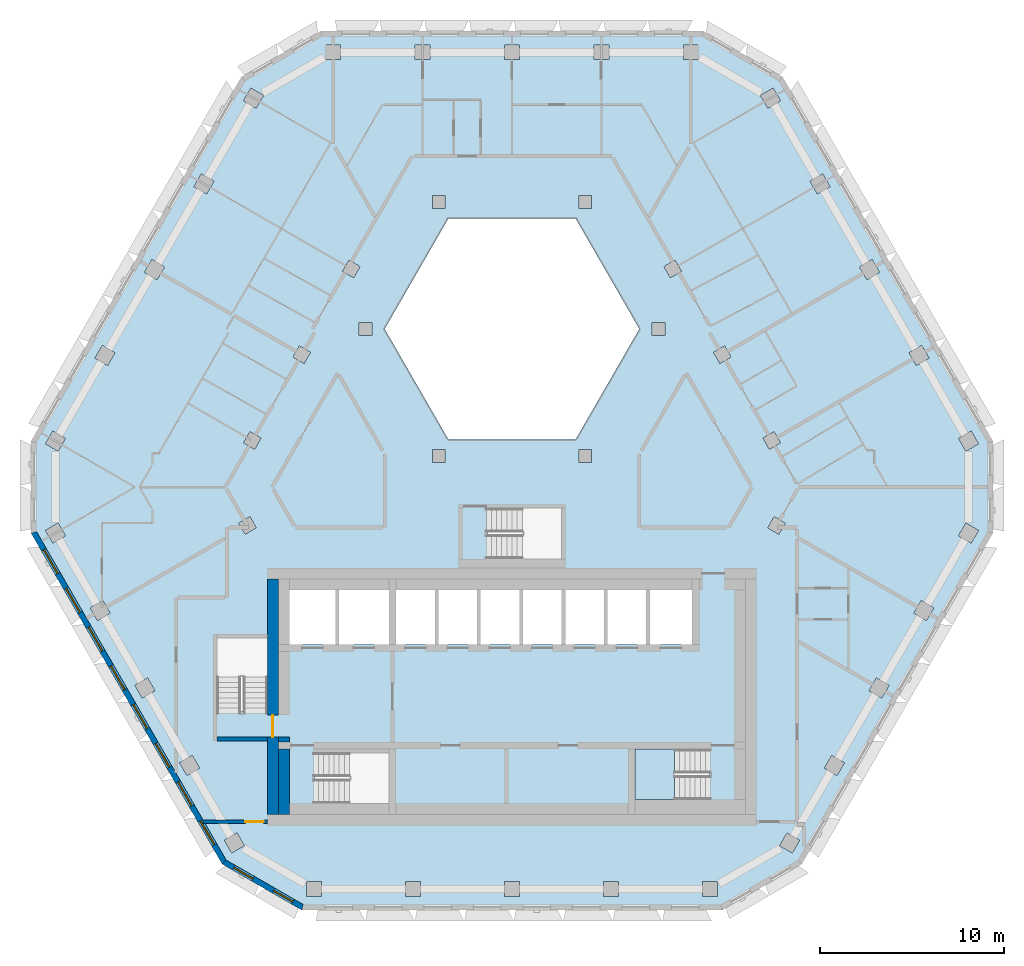
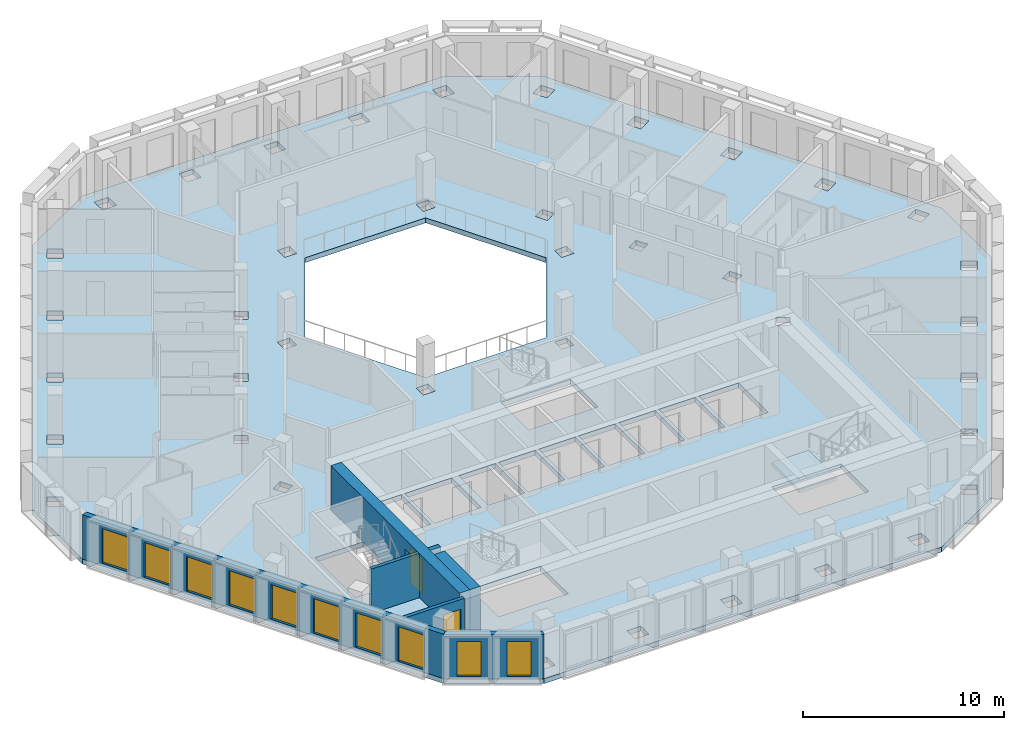
# One storey, part 2 of 18: 10 windows, 7 walls, 2 doors, 2 slabs, 12 openings, 1 element without a shape of its own.
"""IFC4 building model written with IfcOpenShell, lengths in metres."""

from ifc_helpers import new_model, si_unit, direction, frame, frame_2d, origin, place, context, subcontext, project, spatial, polyline, rectangle, outline, extrude, material, layer, layer_set, type_object, element, fill, aggregate, save


model = new_model("IFC4")

# Units and contexts
model_context = context("Model", 3, precision=1e-05, world=origin(), true_north=direction((0.0, 1.0)))
body_context = subcontext(model_context, "Body", "Model", "MODEL_VIEW")
ifc_project = project(units=[si_unit("LENGTHUNIT", "METRE"), si_unit("AREAUNIT", "SQUARE_METRE"), si_unit("VOLUMEUNIT", "CUBIC_METRE"), si_unit("PLANEANGLEUNIT", "RADIAN"), si_unit("MASSUNIT", "GRAM", prefix="KILO")], contexts=[model_context])

# Site, building, storey
site_placement = place(None, origin())
site = spatial("IfcSite", under=ifc_project, at=site_placement, CompositionType="ELEMENT")
building_placement = place(site_placement, origin())
building = spatial("IfcBuilding", under=site, at=building_placement, Name="Beryl Residences", CompositionType="ELEMENT")
storey_placement = place(building_placement, frame((0.0, 0.0, 184.199951171875)))
storey = spatial("IfcBuildingStorey", under=building, at=storey_placement, Name="L56", CompositionType="ELEMENT", Elevation=184.199951171875)

# Slab
ifc_material_1 = material(Name="Concrete C40/50", Category="concrete")
ifc_layer_1 = layer(ifc_material_1, 0.300048828125)
ifc_layer_set_1 = layer_set([ifc_layer_1], Name="SL7 PT floor slab 300 mm C40/50")
slab_type_1 = type_object("IfcSlabType", Name="SL7 PT floor slab 300 mm C40/50", PredefinedType="FLOOR", material=ifc_layer_set_1)
slab_1_placement = place(storey_placement, frame((0.0, 0.0, -0.300048828125)))
element("IfcSlab", 1, at=slab_1_placement, inside=storey, type_object=slab_type_1, Name="L56 slab 1", PredefinedType="FLOOR", context=body_context, shape_type="SweptSolid", body=[
    extrude(outline(polyline([(26.154052734375, -3.10009765625), (15.760986328125, -21.10009765625), (11.430908203125, -23.60009765625), (-11.430908203125, -23.60009765625), (-15.760986328125, -21.10009765625), (-26.154052734375, -3.10009765625), (-26.154052734375, 1.89990234375), (-14.721923828125, 21.699951171875), (-10.39208984375, 24.199951171875), (10.39208984375, 24.199951171875), (14.721923828125, 21.699951171875), (26.154052734375, 1.89990234375), (26.154052734375, -3.10009765625)]), holes=[polyline([(24.971923828125, 2.446044921875), (24.280029296875, 2.0458984375), (24.679931640625, 1.35400390625), (25.3720703125, 1.75390625), (24.971923828125, 2.446044921875)]), polyline([(24.678955078125, -2.554931640625), (24.279052734375, -3.2470703125), (24.970947265625, -3.64697265625), (25.37109375, -2.955078125), (24.678955078125, -2.554931640625)]), polyline([(22.2470703125, -6.76806640625), (21.846923828125, -7.4599609375), (22.5390625, -7.860107421875), (22.93896484375, -7.16796875), (22.2470703125, -6.76806640625)]), polyline([(22.280029296875, 7.10791015625), (21.587890625, 6.7080078125), (21.988037109375, 6.01611328125), (22.679931640625, 6.416015625), (22.280029296875, 7.10791015625)]), polyline([(19.4150390625, -11.672119140625), (20.10693359375, -12.072021484375), (20.507080078125, -11.3798828125), (19.81494140625, -10.97998046875), (19.4150390625, -11.672119140625)]), polyline([(18.89599609375, 11.37109375), (19.2958984375, 10.678955078125), (19.988037109375, 11.0791015625), (19.587890625, 11.77099609375), (18.89599609375, 11.37109375)]), polyline([(18.074951171875, -15.592041015625), (17.383056640625, -15.19189453125), (16.98291015625, -15.884033203125), (17.675048828125, -16.283935546875), (18.074951171875, -15.592041015625)]), polyline([(16.89599609375, 16.43408203125), (16.2041015625, 16.033935546875), (16.60400390625, 15.342041015625), (17.2958984375, 15.741943359375), (16.89599609375, 16.43408203125)]), polyline([(15.64306640625, -19.804931640625), (14.950927734375, -19.405029296875), (14.551025390625, -20.096923828125), (15.242919921875, -20.4970703125), (15.64306640625, -19.804931640625)]), polyline([(14.860107421875, -2.56103515625), (14.25390625, -2.2109375), (13.904052734375, -2.81689453125), (14.510009765625, -3.1669921875), (14.860107421875, -2.56103515625)]), polyline([(14.2041015625, 21.095947265625), (13.511962890625, 20.696044921875), (13.912109375, 20.00390625), (14.60400390625, 20.404052734375), (14.2041015625, 21.095947265625)]), polyline([(13.64501953125, 2.06494140625), (13.9951171875, 1.458984375), (14.60107421875, 1.80908203125), (14.2509765625, 2.4150390625), (13.64501953125, 2.06494140625)]), polyline([(11.55908203125, 7.077880859375), (10.952880859375, 6.72802734375), (11.302978515625, 6.1220703125), (11.908935546875, 6.471923828125), (11.55908203125, 7.077880859375)]), polyline([(11.1689453125, -22.050048828125), (10.368896484375, -22.050048828125), (10.368896484375, -22.85009765625), (11.1689453125, -22.85009765625), (11.1689453125, -22.050048828125)]), polyline([(6.699951171875, -14.85009765625), (6.699951171875, -17.60009765625), (10.699951171875, -17.60009765625), (10.699951171875, -14.85009765625), (6.699951171875, -14.85009765625)]), polyline([(9.327880859375, 23.449951171875), (9.327880859375, 22.64990234375), (10.1279296875, 22.64990234375), (10.1279296875, 23.449951171875), (9.327880859375, 23.449951171875)]), polyline([(7.5, -9.14990234375), (9.800048828125, -9.14990234375), (9.800048828125, -6.199951171875), (7.5, -6.199951171875), (7.5, -9.14990234375)]), polyline([(8.260986328125, 11.39111328125), (8.611083984375, 10.784912109375), (9.217041015625, 11.135009765625), (8.866943359375, 11.740966796875), (8.260986328125, 11.39111328125)]), polyline([(8.31689453125, 7.64990234375), (8.31689453125, 8.35009765625), (7.616943359375, 8.35009765625), (7.616943359375, 7.64990234375), (8.31689453125, 7.64990234375)]), polyline([(5.199951171875, -9.14990234375), (7.300048828125, -9.14990234375), (7.300048828125, -6.199951171875), (5.199951171875, -6.199951171875), (5.199951171875, -9.14990234375)]), polyline([(3.464111328125, 14.0), (-3.464111328125, 14.0), (-6.92822265625, 8.0), (-3.464111328125, 2.0), (3.464111328125, 2.0), (6.92822265625, 8.0), (3.464111328125, 14.0)]), polyline([(5.784912109375, -22.85009765625), (5.784912109375, -22.050048828125), (4.985107421875, -22.050048828125), (4.985107421875, -22.85009765625), (5.784912109375, -22.85009765625)]), polyline([(4.464111328125, 23.449951171875), (4.464111328125, 22.64990234375), (5.263916015625, 22.64990234375), (5.263916015625, 23.449951171875), (4.464111328125, 23.449951171875)]), polyline([(5.0, -9.14990234375), (5.0, -6.199951171875), (2.89990234375, -6.199951171875), (2.89990234375, -9.14990234375), (5.0, -9.14990234375)]), polyline([(4.333984375, 14.550048828125), (4.333984375, 15.25), (3.634033203125, 15.25), (3.634033203125, 14.550048828125), (4.333984375, 14.550048828125)]), polyline([(4.333984375, 1.449951171875), (3.634033203125, 1.449951171875), (3.634033203125, 0.75), (4.333984375, 0.75), (4.333984375, 1.449951171875)]), polyline([(2.699951171875, -4.5), (2.699951171875, -1.75), (-1.300048828125, -1.75), (-1.300048828125, -4.5), (2.699951171875, -4.5)]), polyline([(0.60009765625, -9.14990234375), (2.699951171875, -9.14990234375), (2.699951171875, -6.199951171875), (0.60009765625, -6.199951171875), (0.60009765625, -9.14990234375)]), polyline([(-0.39892578125, -22.050048828125), (-0.39892578125, -22.85009765625), (0.40087890625, -22.85009765625), (0.40087890625, -22.050048828125), (-0.39892578125, -22.050048828125)]), polyline([(0.39990234375, 22.64990234375), (0.39990234375, 23.449951171875), (-0.39990234375, 23.449951171875), (-0.39990234375, 22.64990234375), (0.39990234375, 22.64990234375)]), polyline([(0.39990234375, -6.199951171875), (-1.699951171875, -6.199951171875), (-1.699951171875, -9.14990234375), (0.39990234375, -9.14990234375), (0.39990234375, -6.199951171875)]), polyline([(-4.0, -9.14990234375), (-1.89990234375, -9.14990234375), (-1.89990234375, -6.199951171875), (-4.0, -6.199951171875), (-4.0, -9.14990234375)]), polyline([(-3.634033203125, 15.25), (-4.333984375, 15.25), (-4.333984375, 14.550048828125), (-3.634033203125, 14.550048828125), (-3.634033203125, 15.25)]), polyline([(-3.634033203125, 0.75), (-3.634033203125, 1.449951171875), (-4.333984375, 1.449951171875), (-4.333984375, 0.75), (-3.634033203125, 0.75)]), polyline([(-6.300048828125, -9.14990234375), (-4.199951171875, -9.14990234375), (-4.199951171875, -6.199951171875), (-6.300048828125, -6.199951171875), (-6.300048828125, -9.14990234375)]), polyline([(-5.263916015625, 23.449951171875), (-5.263916015625, 22.64990234375), (-4.464111328125, 22.64990234375), (-4.464111328125, 23.449951171875), (-5.263916015625, 23.449951171875)]), polyline([(-4.98291015625, -22.85009765625), (-4.98291015625, -22.050048828125), (-5.782958984375, -22.050048828125), (-5.782958984375, -22.85009765625), (-4.98291015625, -22.85009765625)]), polyline([(-6.699951171875, -6.199951171875), (-9.39990234375, -6.199951171875), (-9.39990234375, -9.14990234375), (-6.699951171875, -9.14990234375), (-6.699951171875, -6.199951171875)]), polyline([(-10.699951171875, -15.050048828125), (-10.699951171875, -17.800048828125), (-6.699951171875, -17.800048828125), (-6.699951171875, -15.050048828125), (-10.699951171875, -15.050048828125)]), polyline([(-7.616943359375, 7.64990234375), (-7.616943359375, 8.35009765625), (-8.31689453125, 8.35009765625), (-8.31689453125, 7.64990234375), (-7.616943359375, 7.64990234375)]), polyline([(-8.611083984375, 10.784912109375), (-8.260986328125, 11.39111328125), (-8.866943359375, 11.740966796875), (-9.217041015625, 11.135009765625), (-8.611083984375, 10.784912109375)]), polyline([(-10.1279296875, 23.449951171875), (-10.1279296875, 22.64990234375), (-9.327880859375, 22.64990234375), (-9.327880859375, 23.449951171875), (-10.1279296875, 23.449951171875)]), polyline([(-12.10009765625, -9.14990234375), (-9.60009765625, -9.14990234375), (-9.60009765625, -6.199951171875), (-12.10009765625, -6.199951171875), (-12.10009765625, -9.14990234375)]), polyline([(-11.1669921875, -22.050048828125), (-11.1669921875, -22.85009765625), (-10.366943359375, -22.85009765625), (-10.366943359375, -22.050048828125), (-11.1669921875, -22.050048828125)]), polyline([(-11.908935546875, 6.471923828125), (-11.302978515625, 6.1220703125), (-10.952880859375, 6.72802734375), (-11.55908203125, 7.077880859375), (-11.908935546875, 6.471923828125)]), polyline([(-13.300048828125, -8.800048828125), (-16.050048828125, -8.800048828125), (-16.050048828125, -12.800048828125), (-13.300048828125, -12.800048828125), (-13.300048828125, -8.800048828125)]), polyline([(-13.912109375, 20.00390625), (-13.511962890625, 20.696044921875), (-14.2041015625, 21.095947265625), (-14.60400390625, 20.404052734375), (-13.912109375, 20.00390625)]), polyline([(-13.9951171875, 1.458984375), (-13.64501953125, 2.06494140625), (-14.2509765625, 2.4150390625), (-14.60107421875, 1.80908203125), (-13.9951171875, 1.458984375)]), polyline([(-14.510986328125, -3.1650390625), (-13.905029296875, -2.81494140625), (-14.2548828125, -2.208984375), (-14.861083984375, -2.55908203125), (-14.510986328125, -3.1650390625)]), polyline([(-14.552001953125, -20.094970703125), (-14.951904296875, -19.403076171875), (-15.64404296875, -19.802978515625), (-15.243896484375, -20.4951171875), (-14.552001953125, -20.094970703125)]), polyline([(-16.60400390625, 15.342041015625), (-16.2041015625, 16.033935546875), (-16.89599609375, 16.43408203125), (-17.2958984375, 15.741943359375), (-16.60400390625, 15.342041015625)]), polyline([(-16.98388671875, -15.882080078125), (-17.384033203125, -15.18994140625), (-18.075927734375, -15.590087890625), (-17.676025390625, -16.281982421875), (-16.98388671875, -15.882080078125)]), polyline([(-18.89599609375, 11.37109375), (-19.587890625, 11.77099609375), (-19.988037109375, 11.0791015625), (-19.2958984375, 10.678955078125), (-18.89599609375, 11.37109375)]), polyline([(-20.10791015625, -12.070068359375), (-19.416015625, -11.669921875), (-19.81591796875, -10.97802734375), (-20.508056640625, -11.3779296875), (-20.10791015625, -12.070068359375)]), polyline([(-22.679931640625, 6.416015625), (-21.988037109375, 6.01611328125), (-21.587890625, 6.7080078125), (-22.280029296875, 7.10791015625), (-22.679931640625, 6.416015625)]), polyline([(-21.847900390625, -7.4580078125), (-22.248046875, -6.76611328125), (-22.93994140625, -7.166015625), (-22.5400390625, -7.85791015625), (-21.847900390625, -7.4580078125)]), polyline([(-25.3720703125, 1.75390625), (-24.679931640625, 1.35400390625), (-24.280029296875, 2.0458984375), (-24.971923828125, 2.446044921875), (-25.3720703125, 1.75390625)]), polyline([(-24.280029296875, -3.2451171875), (-24.679931640625, -2.552978515625), (-25.3720703125, -2.952880859375), (-24.971923828125, -3.64501953125), (-24.280029296875, -3.2451171875)])]), origin(), (0.0, 0.0, 1.0), 0.300048828125),
])

# Stair, slab
ifc_material_2 = material(Name="Concrete C40/50", Category="concrete")
stair_type = type_object("IfcStairType", Name="ST1 protected exit stair, half-turn, 1300 mm flights", PredefinedType="HALF_TURN_STAIR", material=ifc_material_2)
stair_placement = place(storey_placement, origin())
stair = element("IfcStair", 2, at=stair_placement, inside=storey, type_object=stair_type, Name="L56 PROTECTED EXIT STAIR ST-3", PredefinedType="HALF_TURN_STAIR")
ifc_material_3 = material(Name="Concrete C40/50", Category="concrete")
ifc_layer_2 = layer(ifc_material_3, 0.199951171875)
ifc_layer_set_2 = layer_set([ifc_layer_2], Name="SLD1 stair landing 200 mm")
slab_type_2 = type_object("IfcSlabType", Name="SLD1 stair landing 200 mm", PredefinedType="LANDING", material=ifc_layer_set_2)
slab_2_placement = place(storey_placement, frame((0.0, 0.0, 1.300048828125)))
slab_2 = element("IfcSlab", 3, at=slab_2_placement, type_object=slab_type_2, Name="ST-3 landing 1", PredefinedType="LANDING", context=body_context, shape_type="SweptSolid", body=[
    extrude(outline(polyline([(8.840087890625, -14.85009765625), (6.699951171875, -14.85009765625), (6.699951171875, -17.60009765625), (8.840087890625, -17.60009765625), (8.840087890625, -14.85009765625)])), origin(), (0.0, 0.0, 1.0), 0.199951171875),
])
aggregate(stair, [slab_2])

# Wall, openings, windows
ifc_material_4 = material(Name="Composite metal panel with mineral wool insulation")
ifc_layer_3 = layer(ifc_material_4, 0.300048828125)
ifc_layer_set_3 = layer_set([ifc_layer_3], Name="ES1 pale metal composite panel wall 300 mm")
wall_type_1 = type_object("IfcWallType", Name="ES1 pale metal composite panel wall 300 mm", PredefinedType="SOLIDWALL", material=ifc_layer_set_3)
wall_1_placement = place(storey_placement, frame((-26.02392578125, -3.02490234375, 0.0), z_axis=(0.0, 0.0, 1.0), x_axis=(0.500018670445, -0.86601462413, 0.0)))
wall_1 = element("IfcWall", 4, at=wall_1_placement, inside=storey, type_object=wall_type_1, Name="ES1 external wall L56 SW", PredefinedType="SOLIDWALL", context=body_context, shape_type="SweptSolid", body=[
    extrude(outline(polyline([(0.0, -0.14990234375), (20.784912109375, -0.14990234375), (20.70458984375, 0.14990234375), (0.080322265625, 0.14990234375), (0.0, -0.14990234375)])), origin(), (0.0, 0.0, 1.0), 2.699951171875),
])
opening_1_placement = place(wall_1_placement, frame((1.1298828125, 0.0, 0.14990234375)))
opening_1 = element("IfcOpeningElement", 5, at=opening_1_placement, cuts=wall_1, Name="Opening W1", PredefinedType="OPENING", context=body_context, shape_type="SweptSolid", body=[
    extrude(rectangle(XDim=1.5, YDim=2.10009765625, at=frame_2d((0.75, 1.050048828125))), frame((0.0, 0.159912109375, 0.0), z_axis=(0.0, -1.0, 0.0), x_axis=(1.0, 0.0, 0.0)), (0.0, 0.0, 1.0), 0.320068359375),
])
opening_2_placement = place(wall_1_placement, frame((3.56201171875, 0.0, 0.14990234375)))
opening_2 = element("IfcOpeningElement", 6, at=opening_2_placement, cuts=wall_1, Name="Opening W1", PredefinedType="OPENING", context=body_context, shape_type="SweptSolid", body=[
    extrude(rectangle(XDim=1.5, YDim=2.10009765625, at=frame_2d((0.75, 1.050048828125))), frame((0.0, 0.159912109375, 0.0), z_axis=(0.0, -1.0, 0.0), x_axis=(1.0, 0.0, 0.0)), (0.0, 0.0, 1.0), 0.320068359375),
])
opening_3_placement = place(wall_1_placement, frame((5.993896484375, 0.0, 0.14990234375)))
opening_3 = element("IfcOpeningElement", 7, at=opening_3_placement, cuts=wall_1, Name="Opening W1", PredefinedType="OPENING", context=body_context, shape_type="SweptSolid", body=[
    extrude(rectangle(XDim=1.5, YDim=2.10009765625, at=frame_2d((0.75, 1.050048828125))), frame((0.0, 0.159912109375, 0.0), z_axis=(0.0, -1.0, 0.0), x_axis=(1.0, 0.0, 0.0)), (0.0, 0.0, 1.0), 0.320068359375),
])
opening_4_placement = place(wall_1_placement, frame((8.425048828125, 0.0, 0.14990234375)))
opening_4 = element("IfcOpeningElement", 8, at=opening_4_placement, cuts=wall_1, Name="Opening W1", PredefinedType="OPENING", context=body_context, shape_type="SweptSolid", body=[
    extrude(rectangle(XDim=1.5, YDim=2.10009765625, at=frame_2d((0.75, 1.050048828125))), frame((0.0, 0.159912109375, 0.0), z_axis=(0.0, -1.0, 0.0), x_axis=(1.0, 0.0, 0.0)), (0.0, 0.0, 1.0), 0.320068359375),
])
opening_5_placement = place(wall_1_placement, frame((10.85693359375, 0.0, 0.14990234375)))
opening_5 = element("IfcOpeningElement", 9, at=opening_5_placement, cuts=wall_1, Name="Opening W1", PredefinedType="OPENING", context=body_context, shape_type="SweptSolid", body=[
    extrude(rectangle(XDim=1.5, YDim=2.10009765625, at=frame_2d((0.75, 1.050048828125))), frame((0.0, 0.159912109375, 0.0), z_axis=(0.0, -1.0, 0.0), x_axis=(1.0, 0.0, 0.0)), (0.0, 0.0, 1.0), 0.320068359375),
])
opening_6_placement = place(wall_1_placement, frame((13.2890625, 0.0, 0.14990234375)))
opening_6 = element("IfcOpeningElement", 10, at=opening_6_placement, cuts=wall_1, Name="Opening W1", PredefinedType="OPENING", context=body_context, shape_type="SweptSolid", body=[
    extrude(rectangle(XDim=1.5, YDim=2.10009765625, at=frame_2d((0.75, 1.050048828125))), frame((0.0, 0.159912109375, 0.0), z_axis=(0.0, -1.0, 0.0), x_axis=(1.0, 0.0, 0.0)), (0.0, 0.0, 1.0), 0.320068359375),
])
opening_7_placement = place(wall_1_placement, frame((15.721923828125, 0.0, 0.14990234375)))
opening_7 = element("IfcOpeningElement", 11, at=opening_7_placement, cuts=wall_1, Name="Opening W1", PredefinedType="OPENING", context=body_context, shape_type="SweptSolid", body=[
    extrude(rectangle(XDim=1.5, YDim=2.10009765625, at=frame_2d((0.75, 1.050048828125))), frame((0.0, 0.159912109375, 0.0), z_axis=(0.0, -1.0, 0.0), x_axis=(1.0, 0.0, 0.0)), (0.0, 0.0, 1.0), 0.320068359375),
])
opening_8_placement = place(wall_1_placement, frame((18.154052734375, 0.0, 0.14990234375)))
opening_8 = element("IfcOpeningElement", 12, at=opening_8_placement, cuts=wall_1, Name="Opening W1", PredefinedType="OPENING", context=body_context, shape_type="SweptSolid", body=[
    extrude(rectangle(XDim=1.5, YDim=2.10009765625, at=frame_2d((0.75, 1.050048828125))), frame((0.0, 0.159912109375, 0.0), z_axis=(0.0, -1.0, 0.0), x_axis=(1.0, 0.0, 0.0)), (0.0, 0.0, 1.0), 0.320068359375),
])
ifc_material_5 = material(Name="Aluminium and clear glass", Category="aluminium")
window_type_1 = type_object("IfcWindowType", Name="W1 cell window 1500 x 2100 mm", PartitioningType="SINGLE_PANEL", PredefinedType="WINDOW", material=ifc_material_5)
window_1_placement = place(opening_1_placement, origin())
window_1 = element("IfcWindow", 13, at=window_1_placement, inside=storey, type_object=window_type_1, Name="W1 window L56 SW 1", OverallHeight=2.10009765625, OverallWidth=1.5, PartitioningType="SINGLE_PANEL", PredefinedType="WINDOW", context=body_context, shape_type="SweptSolid", body=[
    extrude(rectangle(XDim=1.5, YDim=2.10009765625, at=frame_2d((0.75, 1.050048828125))), frame((0.0, 0.030029296875, 0.0), z_axis=(0.0, -1.0, 0.0), x_axis=(1.0, 0.0, 0.0)), (0.0, 0.0, 1.0), 0.06005859375),
])
fill(opening_1, window_1)
window_2_placement = place(opening_2_placement, origin())
window_2 = element("IfcWindow", 14, at=window_2_placement, inside=storey, type_object=window_type_1, Name="W1 window L56 SW 2", OverallHeight=2.10009765625, OverallWidth=1.5, PartitioningType="SINGLE_PANEL", PredefinedType="WINDOW", context=body_context, shape_type="SweptSolid", body=[
    extrude(rectangle(XDim=1.5, YDim=2.10009765625, at=frame_2d((0.75, 1.050048828125))), frame((0.0, 0.030029296875, 0.0), z_axis=(0.0, -1.0, 0.0), x_axis=(1.0, 0.0, 0.0)), (0.0, 0.0, 1.0), 0.06005859375),
])
fill(opening_2, window_2)
window_3_placement = place(opening_3_placement, origin())
window_3 = element("IfcWindow", 15, at=window_3_placement, inside=storey, type_object=window_type_1, Name="W1 window L56 SW 3", OverallHeight=2.10009765625, OverallWidth=1.5, PartitioningType="SINGLE_PANEL", PredefinedType="WINDOW", context=body_context, shape_type="SweptSolid", body=[
    extrude(rectangle(XDim=1.5, YDim=2.10009765625, at=frame_2d((0.75, 1.050048828125))), frame((0.0, 0.030029296875, 0.0), z_axis=(0.0, -1.0, 0.0), x_axis=(1.0, 0.0, 0.0)), (0.0, 0.0, 1.0), 0.06005859375),
])
fill(opening_3, window_3)
window_4_placement = place(opening_4_placement, origin())
window_4 = element("IfcWindow", 16, at=window_4_placement, inside=storey, type_object=window_type_1, Name="W1 window L56 SW 4", OverallHeight=2.10009765625, OverallWidth=1.5, PartitioningType="SINGLE_PANEL", PredefinedType="WINDOW", context=body_context, shape_type="SweptSolid", body=[
    extrude(rectangle(XDim=1.5, YDim=2.10009765625, at=frame_2d((0.75, 1.050048828125))), frame((0.0, 0.030029296875, 0.0), z_axis=(0.0, -1.0, 0.0), x_axis=(1.0, 0.0, 0.0)), (0.0, 0.0, 1.0), 0.06005859375),
])
fill(opening_4, window_4)
window_5_placement = place(opening_5_placement, origin())
window_5 = element("IfcWindow", 17, at=window_5_placement, inside=storey, type_object=window_type_1, Name="W1 window L56 SW 5", OverallHeight=2.10009765625, OverallWidth=1.5, PartitioningType="SINGLE_PANEL", PredefinedType="WINDOW", context=body_context, shape_type="SweptSolid", body=[
    extrude(rectangle(XDim=1.5, YDim=2.10009765625, at=frame_2d((0.75, 1.050048828125))), frame((0.0, 0.030029296875, 0.0), z_axis=(0.0, -1.0, 0.0), x_axis=(1.0, 0.0, 0.0)), (0.0, 0.0, 1.0), 0.06005859375),
])
fill(opening_5, window_5)
window_6_placement = place(opening_6_placement, origin())
window_6 = element("IfcWindow", 18, at=window_6_placement, inside=storey, type_object=window_type_1, Name="W1 window L56 SW 6", OverallHeight=2.10009765625, OverallWidth=1.5, PartitioningType="SINGLE_PANEL", PredefinedType="WINDOW", context=body_context, shape_type="SweptSolid", body=[
    extrude(rectangle(XDim=1.5, YDim=2.10009765625, at=frame_2d((0.75, 1.050048828125))), frame((0.0, 0.030029296875, 0.0), z_axis=(0.0, -1.0, 0.0), x_axis=(1.0, 0.0, 0.0)), (0.0, 0.0, 1.0), 0.06005859375),
])
fill(opening_6, window_6)
window_7_placement = place(opening_7_placement, origin())
window_7 = element("IfcWindow", 19, at=window_7_placement, inside=storey, type_object=window_type_1, Name="W1 window L56 SW 7", OverallHeight=2.10009765625, OverallWidth=1.5, PartitioningType="SINGLE_PANEL", PredefinedType="WINDOW", context=body_context, shape_type="SweptSolid", body=[
    extrude(rectangle(XDim=1.5, YDim=2.10009765625, at=frame_2d((0.75, 1.050048828125))), frame((0.0, 0.030029296875, 0.0), z_axis=(0.0, -1.0, 0.0), x_axis=(1.0, 0.0, 0.0)), (0.0, 0.0, 1.0), 0.06005859375),
])
fill(opening_7, window_7)
window_8_placement = place(opening_8_placement, origin())
window_8 = element("IfcWindow", 20, at=window_8_placement, inside=storey, type_object=window_type_1, Name="W1 window L56 SW 8", OverallHeight=2.10009765625, OverallWidth=1.5, PartitioningType="SINGLE_PANEL", PredefinedType="WINDOW", context=body_context, shape_type="SweptSolid", body=[
    extrude(rectangle(XDim=1.5, YDim=2.10009765625, at=frame_2d((0.75, 1.050048828125))), frame((0.0, 0.030029296875, 0.0), z_axis=(0.0, -1.0, 0.0), x_axis=(1.0, 0.0, 0.0)), (0.0, 0.0, 1.0), 0.06005859375),
])
fill(opening_8, window_8)

wall_2_placement = place(storey_placement, frame((-15.68603515625, -20.969970703125, 0.0), z_axis=(0.0, 0.0, 1.0), x_axis=(0.866022959057, -0.500004234368, 0.0)))
wall_2 = element("IfcWall", 21, at=wall_2_placement, inside=storey, type_object=wall_type_1, Name="ES1 external wall L56 SW-S", PredefinedType="SOLIDWALL", context=body_context, shape_type="SweptSolid", body=[
    extrude(outline(polyline([(0.0, -0.14990234375), (5.0, -0.14990234375), (4.919677734375, 0.14990234375), (0.080322265625, 0.14990234375), (0.0, -0.14990234375)])), origin(), (0.0, 0.0, 1.0), 2.699951171875),
])
opening_9_placement = place(wall_2_placement, frame((0.64990234375, 0.0, 0.14990234375)))
opening_9 = element("IfcOpeningElement", 22, at=opening_9_placement, cuts=wall_2, Name="Opening W2", PredefinedType="OPENING", context=body_context, shape_type="SweptSolid", body=[
    extrude(rectangle(XDim=1.199951171875, YDim=2.10009765625, at=frame_2d((0.60009765625, 1.050048828125))), frame((0.0, 0.159912109375, 0.0), z_axis=(0.0, -1.0, 0.0), x_axis=(1.0, 0.0, 0.0)), (0.0, 0.0, 1.0), 0.320068359375),
])
opening_10_placement = place(wall_2_placement, frame((3.14990234375, 0.0, 0.14990234375)))
opening_10 = element("IfcOpeningElement", 23, at=opening_10_placement, cuts=wall_2, Name="Opening W2", PredefinedType="OPENING", context=body_context, shape_type="SweptSolid", body=[
    extrude(rectangle(XDim=1.199951171875, YDim=2.10009765625, at=frame_2d((0.60009765625, 1.050048828125))), frame((0.0, 0.159912109375, 0.0), z_axis=(0.0, -1.0, 0.0), x_axis=(1.0, 0.0, 0.0)), (0.0, 0.0, 1.0), 0.320068359375),
])
ifc_material_6 = material(Name="Aluminium and clear glass", Category="aluminium")
window_type_2 = type_object("IfcWindowType", Name="W2 chamfer window 1200 x 2100 mm", PartitioningType="SINGLE_PANEL", PredefinedType="WINDOW", material=ifc_material_6)
window_9_placement = place(opening_9_placement, origin())
window_9 = element("IfcWindow", 24, at=window_9_placement, inside=storey, type_object=window_type_2, Name="W2 window L56 SW-S 1", OverallHeight=2.10009765625, OverallWidth=1.199951171875, PartitioningType="SINGLE_PANEL", PredefinedType="WINDOW", context=body_context, shape_type="SweptSolid", body=[
    extrude(rectangle(XDim=1.199951171875, YDim=2.10009765625, at=frame_2d((0.60009765625, 1.050048828125))), frame((0.0, 0.030029296875, 0.0), z_axis=(0.0, -1.0, 0.0), x_axis=(1.0, 0.0, 0.0)), (0.0, 0.0, 1.0), 0.06005859375),
])
fill(opening_9, window_9)
window_10_placement = place(opening_10_placement, origin())
window_10 = element("IfcWindow", 25, at=window_10_placement, inside=storey, type_object=window_type_2, Name="W2 window L56 SW-S 2", OverallHeight=2.10009765625, OverallWidth=1.199951171875, PartitioningType="SINGLE_PANEL", PredefinedType="WINDOW", context=body_context, shape_type="SweptSolid", body=[
    extrude(rectangle(XDim=1.199951171875, YDim=2.10009765625, at=frame_2d((0.60009765625, 1.050048828125))), frame((0.0, 0.030029296875, 0.0), z_axis=(0.0, -1.0, 0.0), x_axis=(1.0, 0.0, 0.0)), (0.0, 0.0, 1.0), 0.06005859375),
])
fill(opening_10, window_10)

# Wall
ifc_material_7 = material(Name="Concrete masonry", Category="masonry")
ifc_layer_4 = layer(ifc_material_7, 0.25)
ifc_layer_set_4 = layer_set([ifc_layer_4], Name="PT13-250 lobby wall 250 mm")
wall_type_2 = type_object("IfcWallType", Name="PT13-250 lobby wall 250 mm", PredefinedType="PARTITIONING", material=ifc_layer_set_4)
wall_3_placement = place(storey_placement, frame((-12.699951171875, -14.324951171875, 0.0), z_axis=(0.0, 0.0, 1.0), x_axis=(1.0, 0.0, 0.0)))
element("IfcWall", 26, at=wall_3_placement, inside=storey, type_object=wall_type_2, Name="Lobby wall 05", PredefinedType="PARTITIONING", context=body_context, shape_type="SweptSolid", body=[
    extrude(rectangle(XDim=0.599853515625, YDim=0.25, at=frame_2d((0.2998046875, 0.0))), origin(), (0.0, 0.0, 1.0), 2.699951171875),
])

# Wall, opening, door
ifc_material_8 = material(Name="Double stud gypsum board wall")
ifc_layer_5 = layer(ifc_material_8, 0.199951171875)
ifc_layer_set_5 = layer_set([ifc_layer_5], Name="PT4 corridor wall 200 mm double stud")
wall_type_3 = type_object("IfcWallType", Name="PT4 corridor wall 200 mm double stud", PredefinedType="PARTITIONING", material=ifc_layer_set_5)
wall_4_placement = place(storey_placement, frame((-16.7919921875, -18.800048828125, 0.0), z_axis=(0.0, 0.0, 1.0), x_axis=(1.0, 0.0, 0.0)))
wall_4 = element("IfcWall", 27, at=wall_4_placement, inside=storey, type_object=wall_type_3, Name="Wall PT4 L56 026", PredefinedType="PARTITIONING", context=body_context, shape_type="SweptSolid", body=[
    extrude(rectangle(XDim=3.491943359375, YDim=0.199951171875, at=frame_2d((1.74609375, 0.0))), origin(), (0.0, 0.0, 1.0), 2.699951171875),
])
opening_11_placement = place(wall_4_placement, frame((2.2919921875, 0.0, 0.0)))
opening_11 = element("IfcOpeningElement", 28, at=opening_11_placement, cuts=wall_4, Name="Opening D1549", PredefinedType="OPENING", context=body_context, shape_type="SweptSolid", body=[
    extrude(rectangle(XDim=1.0, YDim=2.10009765625, at=frame_2d((0.5, 1.050048828125))), frame((0.0, 0.10986328125, 0.0), z_axis=(0.0, -1.0, 0.0), x_axis=(1.0, 0.0, 0.0)), (0.0, 0.0, 1.0), 0.219970703125),
])
ifc_material_9 = material(Name="Timber door leaf", Category="wood")
door_type_1 = type_object("IfcDoorType", Name="D1 flat entrance door 1000 x 2100 mm", OperationType="SINGLE_SWING_LEFT", PredefinedType="DOOR", material=ifc_material_9)
door_1_placement = place(opening_11_placement, origin())
door_1 = element("IfcDoor", 29, at=door_1_placement, inside=storey, type_object=door_type_1, Name="Door D1549 L56 001", OperationType="SINGLE_SWING_RIGHT", OverallHeight=2.10009765625, OverallWidth=1.0, PredefinedType="DOOR", context=body_context, shape_type="SweptSolid", body=[
    extrude(rectangle(XDim=1.0, YDim=2.10009765625, at=frame_2d((0.5, 1.050048828125))), frame((0.0, 0.02490234375, 0.0), z_axis=(0.0, -1.0, 0.0), x_axis=(1.0, 0.0, 0.0)), (0.0, 0.0, 1.0), 0.050048828125),
])
fill(opening_11, door_1)

# Walls
ifc_material_10 = material(Name="Concrete C40/50", Category="concrete")
ifc_layer_6 = layer(ifc_material_10, 0.199951171875)
ifc_layer_set_6 = layer_set([ifc_layer_6], Name="PT5 stair enclosure wall 200 mm reinforced concrete C40/50")
wall_type_4 = type_object("IfcWallType", Name="PT5 stair enclosure wall 200 mm reinforced concrete C40/50", PredefinedType="SOLIDWALL", material=ifc_layer_set_6)
wall_5_placement = place(storey_placement, frame((-16.050048828125, -14.300048828125, 0.0), z_axis=(0.0, 0.0, 1.0), x_axis=(1.0, 0.0, 0.0)))
element("IfcWall", 30, at=wall_5_placement, inside=storey, type_object=wall_type_4, Name="Stair wall 02", PredefinedType="SOLIDWALL", context=body_context, shape_type="SweptSolid", body=[
    extrude(rectangle(XDim=2.75, YDim=0.199951171875, at=frame_2d((1.375, 0.0))), origin(), (0.0, 0.0, 1.0), 2.699951171875),
])
ifc_material_11 = material(Name="Concrete C40/50", Category="concrete")
ifc_layer_7 = layer(ifc_material_11, 0.60009765625)
ifc_layer_set_7 = layer_set([ifc_layer_7], Name="PT5-600 stair enclosure wall 600 mm")
wall_type_5 = type_object("IfcWallType", Name="PT5-600 stair enclosure wall 600 mm", PredefinedType="SOLIDWALL", material=ifc_layer_set_7)
wall_6_placement = place(storey_placement, frame((-12.39990234375, -18.39990234375, 0.0), z_axis=(0.0, 0.0, 1.0), x_axis=(0.0, 1.0, 0.0)))
element("IfcWall", 31, at=wall_6_placement, inside=storey, type_object=wall_type_5, Name="Stair wall 04", PredefinedType="SOLIDWALL", context=body_context, shape_type="SweptSolid", body=[
    extrude(rectangle(XDim=3.5498046875, YDim=0.60009765625, at=frame_2d((1.77490234375, 0.0))), origin(), (0.0, 0.0, 1.0), 2.699951171875),
])

# Wall, opening, door
ifc_material_12 = material(Name="Concrete C50/60", Category="concrete")
ifc_layer_8 = layer(ifc_material_12, 0.60009765625)
ifc_layer_set_8 = layer_set([ifc_layer_8], Name="SW4 core outer wall 600 mm C50/60")
wall_type_6 = type_object("IfcWallType", Name="SW4 core outer wall 600 mm C50/60", PredefinedType="SHEAR", material=ifc_layer_set_8)
wall_7_placement = place(storey_placement, frame((-13.0, -18.39990234375, 0.0), z_axis=(0.0, 0.0, 1.0), x_axis=(0.0, 1.0, 0.0)))
wall_7 = element("IfcWall", 32, at=wall_7_placement, inside=storey, type_object=wall_type_6, Name="Core wall W L56", PredefinedType="SHEAR", context=body_context, shape_type="SweptSolid", body=[
    extrude(rectangle(XDim=12.7998046875, YDim=0.60009765625, at=frame_2d((6.39990234375, 0.0))), origin(), (0.0, 0.0, 1.0), 2.699951171875),
])
opening_12_placement = place(wall_7_placement, frame((4.199951171875, 0.0, 0.0)))
opening_12 = element("IfcOpeningElement", 33, at=opening_12_placement, cuts=wall_7, Name="Opening SD-2", PredefinedType="OPENING", context=body_context, shape_type="SweptSolid", body=[
    extrude(rectangle(XDim=1.199951171875, YDim=2.10009765625, at=frame_2d((0.60009765625, 1.050048828125))), frame((0.0, 0.31005859375, 0.0), z_axis=(0.0, -1.0, 0.0), x_axis=(1.0, 0.0, 0.0)), (0.0, 0.0, 1.0), 0.6201171875),
])
ifc_material_13 = material(Name="Steel door leaf in steel frame", Category="steel")
door_type_2 = type_object("IfcDoorType", Name="D4 stair door 1200 x 2100 mm", OperationType="SINGLE_SWING_LEFT", PredefinedType="DOOR", material=ifc_material_13)
door_2_placement = place(opening_12_placement, origin())
door_2 = element("IfcDoor", 34, at=door_2_placement, inside=storey, type_object=door_type_2, Name="Door SD-2 L56 001", OperationType="SINGLE_SWING_RIGHT", OverallHeight=2.10009765625, OverallWidth=1.199951171875, PredefinedType="DOOR", context=body_context, shape_type="SweptSolid", body=[
    extrude(rectangle(XDim=1.199951171875, YDim=2.10009765625, at=frame_2d((0.60009765625, 1.050048828125))), frame((0.0, 0.02490234375, 0.0), z_axis=(0.0, -1.0, 0.0), x_axis=(1.0, 0.0, 0.0)), (0.0, 0.0, 1.0), 0.050048828125),
])
fill(opening_12, door_2)

save(model, "model.ifc")
